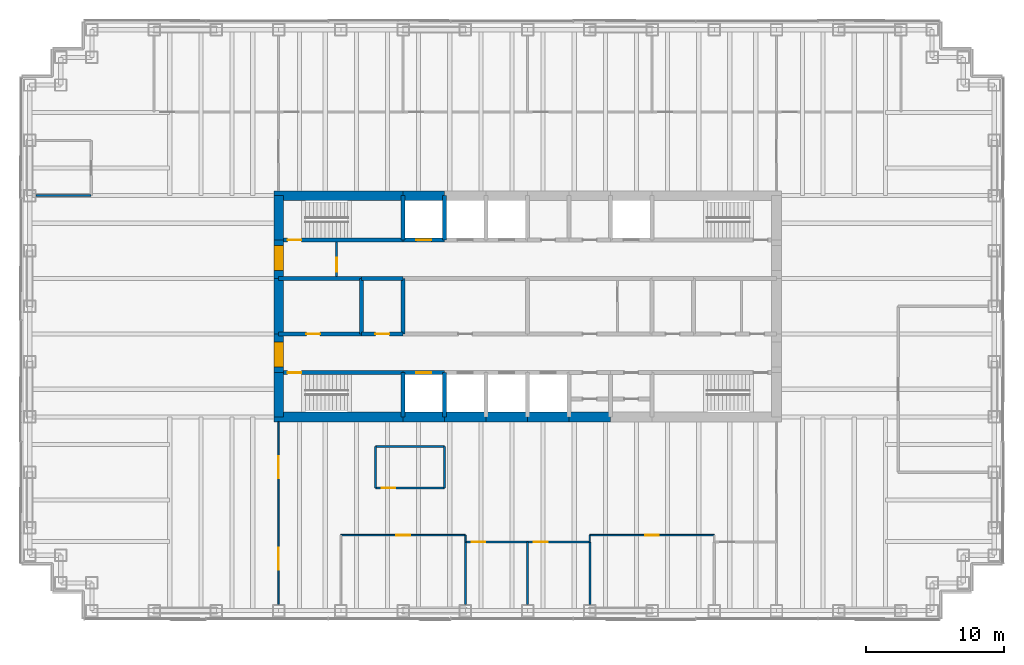
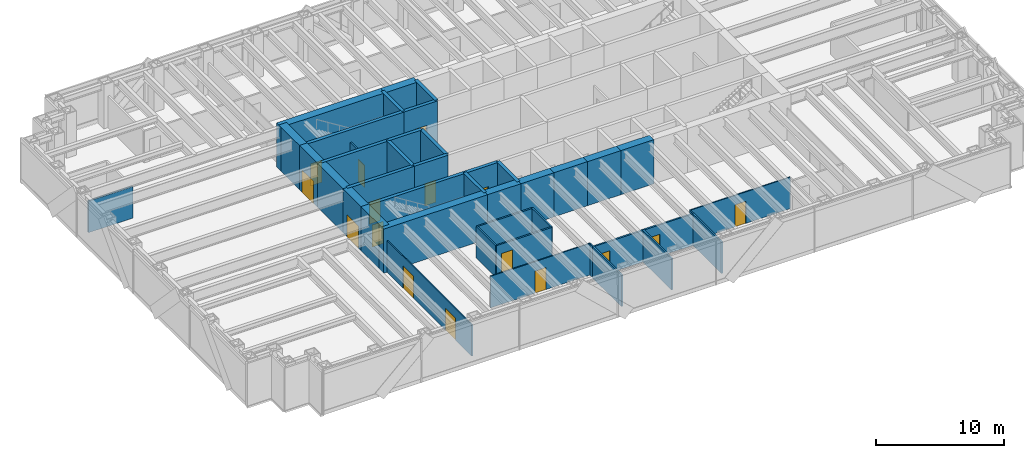
# One storey, part 11 of 15: 42 walls, 16 doors, 16 openings.
"""IFC4 building model written with IfcOpenShell, lengths in metres."""

from ifc_helpers import new_model, si_unit, direction, frame, frame_2d, origin, place, context, subcontext, project, spatial, rectangle, extrude, material, layer, layer_set, type_object, element, fill, save


model = new_model("IFC4")

# Units and contexts
model_context = context("Model", 3, precision=1e-05, world=origin(), true_north=direction((0.0, 1.0)))
body_context = subcontext(model_context, "Body", "Model", "MODEL_VIEW")
ifc_project = project(units=[si_unit("LENGTHUNIT", "METRE"), si_unit("AREAUNIT", "SQUARE_METRE"), si_unit("VOLUMEUNIT", "CUBIC_METRE"), si_unit("PLANEANGLEUNIT", "RADIAN"), si_unit("MASSUNIT", "GRAM", prefix="KILO")], contexts=[model_context])

# Site, building, storey
site_placement = place(None, origin())
site = spatial("IfcSite", under=ifc_project, at=site_placement, CompositionType="ELEMENT")
building_placement = place(site_placement, origin())
building = spatial("IfcBuilding", under=site, at=building_placement, Name="Rheinbord Bourse Tower", CompositionType="ELEMENT")
storey_placement = place(building_placement, frame((0.0, 0.0, 279.5)))
storey = spatial("IfcBuildingStorey", under=building, at=storey_placement, Name="L63", CompositionType="ELEMENT", Elevation=279.5)

# Wall, opening, door
ifc_material_1 = material(Name="Concrete C50/60", Category="concrete")
ifc_layer_1 = layer(ifc_material_1, 0.300048828125)
ifc_layer_set_1 = layer_set([ifc_layer_1], Name="CORE INNER WALL 300")
wall_type_1 = type_object("IfcWallType", Name="CORE INNER WALL 300", PredefinedType="SOLIDWALL", material=ifc_layer_set_1)
wall_1_placement = place(storey_placement, frame((18.0, 19.199951171875, 0.0), z_axis=(0.0, 0.0, 1.0), x_axis=(1.0, 0.0, 0.0)))
wall_1 = element("IfcWall", 1, at=wall_1_placement, inside=storey, type_object=wall_type_1, Name="Core wall A1 L63", PredefinedType="SOLIDWALL", context=body_context, shape_type="SweptSolid", body=[
    extrude(rectangle(XDim=9.0, YDim=0.300048828125, at=frame_2d((4.5, 0.0))), origin(), (0.0, 0.0, 1.0), 4.199951171875),
])
opening_1_placement = place(wall_1_placement, frame((0.64990234375, 0.0, 0.0)))
opening_1 = element("IfcOpeningElement", 2, at=opening_1_placement, cuts=wall_1, Name="Opening 6310", PredefinedType="OPENING", context=body_context, shape_type="SweptSolid", body=[
    extrude(rectangle(XDim=1.0, YDim=2.10009765625, at=frame_2d((0.5, 1.050048828125))), frame((0.0, 0.159912109375, 0.0), z_axis=(0.0, -1.0, 0.0), x_axis=(1.0, 0.0, 0.0)), (0.0, 0.0, 1.0), 0.320068359375),
])
ifc_material_2 = material(Name="Steel door", Category="steel")
door_type_1 = type_object("IfcDoorType", Name="DOOR 1000 EI30", OperationType="SINGLE_SWING_LEFT", PredefinedType="DOOR", material=ifc_material_2)
door_1_placement = place(opening_1_placement, origin())
door_1 = element("IfcDoor", 3, at=door_1_placement, inside=storey, type_object=door_type_1, Name="Stair door ST1 L63", OperationType="SINGLE_SWING_LEFT", OverallHeight=2.10009765625, OverallWidth=1.0, PredefinedType="DOOR", context=body_context, shape_type="SweptSolid", body=[
    extrude(rectangle(XDim=1.0, YDim=2.10009765625, at=frame_2d((0.5, 1.050048828125))), frame((0.0, 0.02490234375, 0.0), z_axis=(0.0, -1.0, 0.0), x_axis=(1.0, 0.0, 0.0)), (0.0, 0.0, 1.0), 0.050048828125),
])
fill(opening_1, door_1)

wall_2_placement = place(storey_placement, frame((27.0, 19.199951171875, 0.0), z_axis=(0.0, 0.0, 1.0), x_axis=(1.0, 0.0, 0.0)))
wall_2 = element("IfcWall", 4, at=wall_2_placement, inside=storey, type_object=wall_type_1, Name="Core wall A2 L63", PredefinedType="SOLIDWALL", context=body_context, shape_type="SweptSolid", body=[
    extrude(rectangle(XDim=3.0, YDim=0.300048828125, at=frame_2d((1.5, 0.0))), origin(), (0.0, 0.0, 1.0), 4.199951171875),
])
opening_2_placement = place(wall_2_placement, frame((0.949951171875, 0.0, 0.0)))
opening_2 = element("IfcOpeningElement", 5, at=opening_2_placement, cuts=wall_2, Name="Opening FL1", PredefinedType="OPENING", context=body_context, shape_type="SweptSolid", body=[
    extrude(rectangle(XDim=1.10009765625, YDim=2.199951171875, at=frame_2d((0.550048828125, 1.10009765625))), frame((0.0, 0.159912109375, 0.0), z_axis=(0.0, -1.0, 0.0), x_axis=(1.0, 0.0, 0.0)), (0.0, 0.0, 1.0), 0.320068359375),
])
ifc_material_3 = material(Name="Steel landing door", Category="steel")
door_type_2 = type_object("IfcDoorType", Name="LIFT LANDING DOOR 1100", OperationType="DOUBLE_DOOR_SLIDING", PredefinedType="USERDEFINED", material=ifc_material_3)
door_2_placement = place(opening_2_placement, origin())
door_2 = element("IfcDoor", 6, at=door_2_placement, inside=storey, type_object=door_type_2, Name="Lift landing door FL1 L63", ObjectType="LIFT LANDING DOOR", OperationType="DOUBLE_DOOR_SLIDING", OverallHeight=2.199951171875, OverallWidth=1.10009765625, PredefinedType="USERDEFINED", context=body_context, shape_type="SweptSolid", body=[
    extrude(rectangle(XDim=1.10009765625, YDim=2.199951171875, at=frame_2d((0.550048828125, 1.10009765625))), frame((0.0, 0.02490234375, 0.0), z_axis=(0.0, -1.0, 0.0), x_axis=(1.0, 0.0, 0.0)), (0.0, 0.0, 1.0), 0.050048828125),
])
fill(opening_2, door_2)

wall_3_placement = place(storey_placement, frame((18.0, 28.800048828125, 0.0), z_axis=(0.0, 0.0, 1.0), x_axis=(1.0, 0.0, 0.0)))
wall_3 = element("IfcWall", 7, at=wall_3_placement, inside=storey, type_object=wall_type_1, Name="Core wall B1 L63", PredefinedType="SOLIDWALL", context=body_context, shape_type="SweptSolid", body=[
    extrude(rectangle(XDim=9.0, YDim=0.300048828125, at=frame_2d((4.5, 0.0))), origin(), (0.0, 0.0, 1.0), 4.199951171875),
])
opening_3_placement = place(wall_3_placement, frame((0.64990234375, 0.0, 0.0)))
opening_3 = element("IfcOpeningElement", 8, at=opening_3_placement, cuts=wall_3, Name="Opening 6320", PredefinedType="OPENING", context=body_context, shape_type="SweptSolid", body=[
    extrude(rectangle(XDim=1.0, YDim=2.10009765625, at=frame_2d((0.5, 1.050048828125))), frame((0.0, 0.159912109375, 0.0), z_axis=(0.0, -1.0, 0.0), x_axis=(1.0, 0.0, 0.0)), (0.0, 0.0, 1.0), 0.320068359375),
])
door_3_placement = place(opening_3_placement, origin())
door_3 = element("IfcDoor", 9, at=door_3_placement, inside=storey, type_object=door_type_1, Name="Stair door ST2 L63", OperationType="SINGLE_SWING_LEFT", OverallHeight=2.10009765625, OverallWidth=1.0, PredefinedType="DOOR", context=body_context, shape_type="SweptSolid", body=[
    extrude(rectangle(XDim=1.0, YDim=2.10009765625, at=frame_2d((0.5, 1.050048828125))), frame((0.0, 0.02490234375, 0.0), z_axis=(0.0, -1.0, 0.0), x_axis=(1.0, 0.0, 0.0)), (0.0, 0.0, 1.0), 0.050048828125),
])
fill(opening_3, door_3)

wall_4_placement = place(storey_placement, frame((27.0, 28.800048828125, 0.0), z_axis=(0.0, 0.0, 1.0), x_axis=(1.0, 0.0, 0.0)))
wall_4 = element("IfcWall", 10, at=wall_4_placement, inside=storey, type_object=wall_type_1, Name="Core wall B2 L63", PredefinedType="SOLIDWALL", context=body_context, shape_type="SweptSolid", body=[
    extrude(rectangle(XDim=3.0, YDim=0.300048828125, at=frame_2d((1.5, 0.0))), origin(), (0.0, 0.0, 1.0), 4.199951171875),
])
opening_4_placement = place(wall_4_placement, frame((0.949951171875, 0.0, 0.0)))
opening_4 = element("IfcOpeningElement", 11, at=opening_4_placement, cuts=wall_4, Name="Opening GL1", PredefinedType="OPENING", context=body_context, shape_type="SweptSolid", body=[
    extrude(rectangle(XDim=1.10009765625, YDim=2.199951171875, at=frame_2d((0.550048828125, 1.10009765625))), frame((0.0, 0.159912109375, 0.0), z_axis=(0.0, -1.0, 0.0), x_axis=(1.0, 0.0, 0.0)), (0.0, 0.0, 1.0), 0.320068359375),
])
door_4_placement = place(opening_4_placement, origin())
door_4 = element("IfcDoor", 12, at=door_4_placement, inside=storey, type_object=door_type_2, Name="Lift landing door GL1 L63", ObjectType="LIFT LANDING DOOR", OperationType="DOUBLE_DOOR_SLIDING", OverallHeight=2.199951171875, OverallWidth=1.10009765625, PredefinedType="USERDEFINED", context=body_context, shape_type="SweptSolid", body=[
    extrude(rectangle(XDim=1.10009765625, YDim=2.199951171875, at=frame_2d((0.550048828125, 1.10009765625))), frame((0.0, 0.02490234375, 0.0), z_axis=(0.0, -1.0, 0.0), x_axis=(1.0, 0.0, 0.0)), (0.0, 0.0, 1.0), 0.050048828125),
])
fill(opening_4, door_4)

wall_5_placement = place(storey_placement, frame((18.0, 22.0, 0.0), z_axis=(0.0, 0.0, 1.0), x_axis=(1.0, 0.0, 0.0)))
wall_5 = element("IfcWall", 13, at=wall_5_placement, inside=storey, type_object=wall_type_1, Name="Core wall C1 L63", PredefinedType="SOLIDWALL", context=body_context, shape_type="SweptSolid", body=[
    extrude(rectangle(XDim=6.0, YDim=0.300048828125, at=frame_2d((3.0, 0.0))), origin(), (0.0, 0.0, 1.0), 4.199951171875),
])
opening_5_placement = place(wall_5_placement, frame((2.0, 0.0, 0.0)))
opening_5 = element("IfcOpeningElement", 14, at=opening_5_placement, cuts=wall_5, Name="Opening 63R1", PredefinedType="OPENING", context=body_context, shape_type="SweptSolid", body=[
    extrude(rectangle(XDim=1.0, YDim=2.10009765625, at=frame_2d((0.5, 1.050048828125))), frame((0.0, 0.159912109375, 0.0), z_axis=(0.0, -1.0, 0.0), x_axis=(1.0, 0.0, 0.0)), (0.0, 0.0, 1.0), 0.320068359375),
])
ifc_material_4 = material(Name="Timber door", Category="wood")
door_type_3 = type_object("IfcDoorType", Name="DOOR 1000 WC", OperationType="SINGLE_SWING_LEFT", PredefinedType="DOOR", material=ifc_material_4)
door_5_placement = place(opening_5_placement, origin())
door_5 = element("IfcDoor", 15, at=door_5_placement, inside=storey, type_object=door_type_3, Name="WC men door L63", OperationType="SINGLE_SWING_LEFT", OverallHeight=2.10009765625, OverallWidth=1.0, PredefinedType="DOOR", context=body_context, shape_type="SweptSolid", body=[
    extrude(rectangle(XDim=1.0, YDim=2.10009765625, at=frame_2d((0.5, 1.050048828125))), frame((0.0, 0.02490234375, 0.0), z_axis=(0.0, -1.0, 0.0), x_axis=(1.0, 0.0, 0.0)), (0.0, 0.0, 1.0), 0.050048828125),
])
fill(opening_5, door_5)

wall_6_placement = place(storey_placement, frame((24.0, 22.0, 0.0), z_axis=(0.0, 0.0, 1.0), x_axis=(1.0, 0.0, 0.0)))
wall_6 = element("IfcWall", 16, at=wall_6_placement, inside=storey, type_object=wall_type_1, Name="Core wall C2 L63", PredefinedType="SOLIDWALL", context=body_context, shape_type="SweptSolid", body=[
    extrude(rectangle(XDim=3.0, YDim=0.300048828125, at=frame_2d((1.5, 0.0))), origin(), (0.0, 0.0, 1.0), 4.199951171875),
])
opening_6_placement = place(wall_6_placement, frame((1.0, 0.0, 0.0)))
opening_6 = element("IfcOpeningElement", 17, at=opening_6_placement, cuts=wall_6, Name="Opening 63R2", PredefinedType="OPENING", context=body_context, shape_type="SweptSolid", body=[
    extrude(rectangle(XDim=1.0, YDim=2.10009765625, at=frame_2d((0.5, 1.050048828125))), frame((0.0, 0.159912109375, 0.0), z_axis=(0.0, -1.0, 0.0), x_axis=(1.0, 0.0, 0.0)), (0.0, 0.0, 1.0), 0.320068359375),
])
door_6_placement = place(opening_6_placement, origin())
door_6 = element("IfcDoor", 18, at=door_6_placement, inside=storey, type_object=door_type_1, Name="First aid room door L63", OperationType="SINGLE_SWING_LEFT", OverallHeight=2.10009765625, OverallWidth=1.0, PredefinedType="DOOR", context=body_context, shape_type="SweptSolid", body=[
    extrude(rectangle(XDim=1.0, YDim=2.10009765625, at=frame_2d((0.5, 1.050048828125))), frame((0.0, 0.02490234375, 0.0), z_axis=(0.0, -1.0, 0.0), x_axis=(1.0, 0.0, 0.0)), (0.0, 0.0, 1.0), 0.050048828125),
])
fill(opening_6, door_6)

# Walls
wall_7_placement = place(storey_placement, frame((18.0, 26.0, 0.0), z_axis=(0.0, 0.0, 1.0), x_axis=(1.0, 0.0, 0.0)))
element("IfcWall", 19, at=wall_7_placement, inside=storey, type_object=wall_type_1, Name="Core wall D1 L63", PredefinedType="SOLIDWALL", context=body_context, shape_type="SweptSolid", body=[
    extrude(rectangle(XDim=6.0, YDim=0.300048828125, at=frame_2d((3.0, 0.0))), origin(), (0.0, 0.0, 1.0), 4.199951171875),
])
wall_8_placement = place(storey_placement, frame((24.0, 26.0, 0.0), z_axis=(0.0, 0.0, 1.0), x_axis=(1.0, 0.0, 0.0)))
element("IfcWall", 20, at=wall_8_placement, inside=storey, type_object=wall_type_1, Name="Core wall D2 L63", PredefinedType="SOLIDWALL", context=body_context, shape_type="SweptSolid", body=[
    extrude(rectangle(XDim=3.0, YDim=0.300048828125, at=frame_2d((1.5, 0.0))), origin(), (0.0, 0.0, 1.0), 4.199951171875),
])
for number, where, z_axis, x_axis, name in (
    (21, (27.0, 16.0, 0.0), (0.0, 0.0, 1.0), (0.0, 1.0, 0.0), "Core wall SX27 L63"),
    (22, (27.0, 28.800048828125, 0.0), (0.0, 0.0, 1.0), (0.0, 1.0, 0.0), "Core wall NX27 L63"),
    (23, (30.0, 16.0, 0.0), (0.0, 0.0, 1.0), (0.0, 1.0, 0.0), "Core wall SX30 L63"),
    (24, (30.0, 28.800048828125, 0.0), (0.0, 0.0, 1.0), (0.0, 1.0, 0.0), "Core wall NX30 L63"),
):
    element("IfcWall", number, at=place(storey_placement, frame(where, z_axis=z_axis, x_axis=x_axis)), inside=storey, type_object=wall_type_1, Name=name, PredefinedType="SOLIDWALL", context=body_context, shape_type="SweptSolid", body=[
        extrude(rectangle(XDim=3.199951171875, YDim=0.300048828125, at=frame_2d((1.60009765625, 0.0))), origin(), (0.0, 0.0, 1.0), 4.199951171875),
    ])
for number, where, z_axis, x_axis, name in (
    (25, (24.0, 22.0, 0.0), (0.0, 0.0, 1.0), (0.0, 1.0, 0.0), "Core wall MX24 L63"),
    (26, (27.0, 22.0, 0.0), (0.0, 0.0, 1.0), (0.0, 1.0, 0.0), "Core wall MX27 L63"),
):
    element("IfcWall", number, at=place(storey_placement, frame(where, z_axis=z_axis, x_axis=x_axis)), inside=storey, type_object=wall_type_1, Name=name, PredefinedType="SOLIDWALL", context=body_context, shape_type="SweptSolid", body=[
        extrude(rectangle(XDim=4.0, YDim=0.300048828125, at=frame_2d((2.0, 0.0))), origin(), (0.0, 0.0, 1.0), 4.199951171875),
    ])

# Wall, opening, door
ifc_material_5 = material(Name="Gypsum board fire partition", Category="gypsum board")
ifc_layer_2 = layer(ifc_material_5, 0.14990234375)
ifc_layer_set_2 = layer_set([ifc_layer_2], Name="CORE PARTITION 150 EI30")
wall_type_2 = type_object("IfcWallType", Name="CORE PARTITION 150 EI30", PredefinedType="PARTITIONING", material=ifc_layer_set_2)
wall_9_placement = place(storey_placement, frame((22.199951171875, 26.14990234375, 0.0), z_axis=(0.0, 0.0, 1.0), x_axis=(0.0, 1.0, 0.0)))
wall_9 = element("IfcWall", 27, at=wall_9_placement, inside=storey, type_object=wall_type_2, Name="Core partition L63-5", PredefinedType="PARTITIONING", context=body_context, shape_type="SweptSolid", body=[
    extrude(rectangle(XDim=2.5, YDim=0.14990234375, at=frame_2d((1.25, 0.0))), origin(), (0.0, 0.0, 1.0), 3.0),
])
opening_7_placement = place(wall_9_placement, frame((0.35009765625, 0.0, 0.0)))
opening_7 = element("IfcOpeningElement", 28, at=opening_7_placement, cuts=wall_9, Name="Opening 63L6", PredefinedType="OPENING", context=body_context, shape_type="SweptSolid", body=[
    extrude(rectangle(XDim=1.0, YDim=2.10009765625, at=frame_2d((0.5, 1.050048828125))), frame((0.0, 0.0849609375, 0.0), z_axis=(0.0, -1.0, 0.0), x_axis=(1.0, 0.0, 0.0)), (0.0, 0.0, 1.0), 0.169921875),
])
door_7_placement = place(opening_7_placement, origin())
door_7 = element("IfcDoor", 29, at=door_7_placement, inside=storey, type_object=door_type_1, Name="Stair lobby door L63", OperationType="SINGLE_SWING_LEFT", OverallHeight=2.10009765625, OverallWidth=1.0, PredefinedType="DOOR", context=body_context, shape_type="SweptSolid", body=[
    extrude(rectangle(XDim=1.0, YDim=2.10009765625, at=frame_2d((0.5, 1.050048828125))), frame((0.0, 0.02490234375, 0.0), z_axis=(0.0, -1.0, 0.0), x_axis=(1.0, 0.0, 0.0)), (0.0, 0.0, 1.0), 0.050048828125),
])
fill(opening_7, door_7)

# Walls
ifc_material_6 = material(Name="Concrete C50/60", Category="concrete")
ifc_layer_3 = layer(ifc_material_6, 0.699951171875)
ifc_layer_set_3 = layer_set([ifc_layer_3], Name="CORE WALL 700")
wall_type_3 = type_object("IfcWallType", Name="CORE WALL 700", PredefinedType="SHEAR", material=ifc_layer_set_3)
wall_10_placement = place(storey_placement, frame((17.64990234375, 16.0, 0.0), z_axis=(0.0, 0.0, 1.0), x_axis=(1.0, 0.0, 0.0)))
element("IfcWall", 30, at=wall_10_placement, inside=storey, type_object=wall_type_3, Name="Core wall S1 L63", PredefinedType="SHEAR", context=body_context, shape_type="SweptSolid", body=[
    extrude(rectangle(XDim=9.35009765625, YDim=0.699951171875, at=frame_2d((4.675048828125, 0.0))), origin(), (0.0, 0.0, 1.0), 4.199951171875),
])
for number, where, z_axis, x_axis, name in (
    (31, (27.0, 16.0, 0.0), (0.0, 0.0, 1.0), (1.0, 0.0, 0.0), "Core wall S2 L63"),
    (32, (30.0, 16.0, 0.0), (0.0, 0.0, 1.0), (1.0, 0.0, 0.0), "Core wall S3 L63"),
    (33, (33.0, 16.0, 0.0), (0.0, 0.0, 1.0), (1.0, 0.0, 0.0), "Core wall S4 L63"),
    (34, (36.0, 16.0, 0.0), (0.0, 0.0, 1.0), (1.0, 0.0, 0.0), "Core wall S5 L63"),
    (35, (39.0, 16.0, 0.0), (0.0, 0.0, 1.0), (1.0, 0.0, 0.0), "Core wall S6 L63"),
    (36, (30.0, 32.0, 0.0), (0.0, 0.0, 1.0), (-1.0, 0.0, 0.0), "Core wall N7 L63"),
):
    element("IfcWall", number, at=place(storey_placement, frame(where, z_axis=z_axis, x_axis=x_axis)), inside=storey, type_object=wall_type_3, Name=name, PredefinedType="SHEAR", context=body_context, shape_type="SweptSolid", body=[
        extrude(rectangle(XDim=3.0, YDim=0.699951171875, at=frame_2d((1.5, 0.0))), origin(), (0.0, 0.0, 1.0), 4.199951171875),
    ])
wall_11_placement = place(storey_placement, frame((27.0, 32.0, 0.0), z_axis=(0.0, 0.0, 1.0), x_axis=(-1.0, 0.0, 0.0)))
element("IfcWall", 37, at=wall_11_placement, inside=storey, type_object=wall_type_3, Name="Core wall N8 L63", PredefinedType="SHEAR", context=body_context, shape_type="SweptSolid", body=[
    extrude(rectangle(XDim=9.35009765625, YDim=0.699951171875, at=frame_2d((4.675048828125, 0.0))), origin(), (0.0, 0.0, 1.0), 4.199951171875),
])
wall_12_placement = place(storey_placement, frame((18.0, 32.0, 0.0), z_axis=(0.0, 0.0, 1.0), x_axis=(0.0, -1.0, 0.0)))
element("IfcWall", 38, at=wall_12_placement, inside=storey, type_object=wall_type_3, Name="Core wall W1 L63", PredefinedType="SHEAR", context=body_context, shape_type="SweptSolid", body=[
    extrude(rectangle(XDim=3.199951171875, YDim=0.699951171875, at=frame_2d((1.60009765625, 0.0))), origin(), (0.0, 0.0, 1.0), 4.199951171875),
])

# Wall, opening, door
wall_13_placement = place(storey_placement, frame((18.0, 28.800048828125, 0.0), z_axis=(0.0, 0.0, 1.0), x_axis=(0.0, -1.0, 0.0)))
wall_13 = element("IfcWall", 39, at=wall_13_placement, inside=storey, type_object=wall_type_3, Name="Core wall W2 L63", PredefinedType="SHEAR", context=body_context, shape_type="SweptSolid", body=[
    extrude(rectangle(XDim=2.800048828125, YDim=0.699951171875, at=frame_2d((1.39990234375, 0.0))), origin(), (0.0, 0.0, 1.0), 4.199951171875),
])
opening_8_placement = place(wall_13_placement, frame((0.39990234375, 0.0, 0.0)))
opening_8 = element("IfcOpeningElement", 40, at=opening_8_placement, cuts=wall_13, Name="Opening 63L2", PredefinedType="OPENING", context=body_context, shape_type="SweptSolid", body=[
    extrude(rectangle(XDim=1.800048828125, YDim=2.10009765625, at=frame_2d((0.89990234375, 1.050048828125))), frame((0.0, 0.35986328125, 0.0), z_axis=(0.0, -1.0, 0.0), x_axis=(1.0, 0.0, 0.0)), (0.0, 0.0, 1.0), 0.719970703125),
])
ifc_material_7 = material(Name="Steel door", Category="steel")
door_type_4 = type_object("IfcDoorType", Name="DOOR 1800 EI30 DOUBLE", OperationType="DOUBLE_DOOR_DOUBLE_SWING", PredefinedType="DOOR", material=ifc_material_7)
door_8_placement = place(opening_8_placement, origin())
door_8 = element("IfcDoor", 41, at=door_8_placement, inside=storey, type_object=door_type_4, Name="Lobby door 2 L63", OperationType="SINGLE_SWING_LEFT", OverallHeight=2.10009765625, OverallWidth=1.800048828125, PredefinedType="DOOR", context=body_context, shape_type="SweptSolid", body=[
    extrude(rectangle(XDim=1.800048828125, YDim=2.10009765625, at=frame_2d((0.89990234375, 1.050048828125))), frame((0.0, 0.349609375, 0.0), z_axis=(0.0, -1.0, 0.0), x_axis=(1.0, 0.0, 0.0)), (0.0, 0.0, 1.0), 0.699462890625),
])
fill(opening_8, door_8)

# Wall
wall_14_placement = place(storey_placement, frame((18.0, 26.0, 0.0), z_axis=(0.0, 0.0, 1.0), x_axis=(0.0, -1.0, 0.0)))
element("IfcWall", 42, at=wall_14_placement, inside=storey, type_object=wall_type_3, Name="Core wall W3 L63", PredefinedType="SHEAR", context=body_context, shape_type="SweptSolid", body=[
    extrude(rectangle(XDim=4.0, YDim=0.699951171875, at=frame_2d((2.0, 0.0))), origin(), (0.0, 0.0, 1.0), 4.199951171875),
])

# Wall, opening, door
wall_15_placement = place(storey_placement, frame((18.0, 22.0, 0.0), z_axis=(0.0, 0.0, 1.0), x_axis=(0.0, -1.0, 0.0)))
wall_15 = element("IfcWall", 43, at=wall_15_placement, inside=storey, type_object=wall_type_3, Name="Core wall W4 L63", PredefinedType="SHEAR", context=body_context, shape_type="SweptSolid", body=[
    extrude(rectangle(XDim=2.800048828125, YDim=0.699951171875, at=frame_2d((1.39990234375, 0.0))), origin(), (0.0, 0.0, 1.0), 4.199951171875),
])
opening_9_placement = place(wall_15_placement, frame((0.60009765625, 0.0, 0.0)))
opening_9 = element("IfcOpeningElement", 44, at=opening_9_placement, cuts=wall_15, Name="Opening 63L1", PredefinedType="OPENING", context=body_context, shape_type="SweptSolid", body=[
    extrude(rectangle(XDim=1.800048828125, YDim=2.10009765625, at=frame_2d((0.89990234375, 1.050048828125))), frame((0.0, 0.35986328125, 0.0), z_axis=(0.0, -1.0, 0.0), x_axis=(1.0, 0.0, 0.0)), (0.0, 0.0, 1.0), 0.719970703125),
])
door_9_placement = place(opening_9_placement, origin())
door_9 = element("IfcDoor", 45, at=door_9_placement, inside=storey, type_object=door_type_4, Name="Lobby door 1 L63", OperationType="SINGLE_SWING_LEFT", OverallHeight=2.10009765625, OverallWidth=1.800048828125, PredefinedType="DOOR", context=body_context, shape_type="SweptSolid", body=[
    extrude(rectangle(XDim=1.800048828125, YDim=2.10009765625, at=frame_2d((0.89990234375, 1.050048828125))), frame((0.0, 0.349609375, 0.0), z_axis=(0.0, -1.0, 0.0), x_axis=(1.0, 0.0, 0.0)), (0.0, 0.0, 1.0), 0.699462890625),
])
fill(opening_9, door_9)

# Wall
wall_16_placement = place(storey_placement, frame((18.0, 19.199951171875, 0.0), z_axis=(0.0, 0.0, 1.0), x_axis=(0.0, -1.0, 0.0)))
element("IfcWall", 46, at=wall_16_placement, inside=storey, type_object=wall_type_3, Name="Core wall W5 L63", PredefinedType="SHEAR", context=body_context, shape_type="SweptSolid", body=[
    extrude(rectangle(XDim=3.199951171875, YDim=0.699951171875, at=frame_2d((1.60009765625, 0.0))), origin(), (0.0, 0.0, 1.0), 4.199951171875),
])

# Wall, opening, door
ifc_material_8 = material(Name="Gypsum board fire partition", Category="gypsum board")
ifc_layer_4 = layer(ifc_material_8, 0.14990234375)
ifc_layer_set_4 = layer_set([ifc_layer_4], Name="FIRE PARTITION 150 EI60")
wall_type_4 = type_object("IfcWallType", Name="FIRE PARTITION 150 EI60", PredefinedType="PARTITIONING", material=ifc_layer_set_4)
wall_17_placement = place(storey_placement, frame((25.0, 10.85009765625, 0.0), z_axis=(0.0, 0.0, 1.0), x_axis=(1.0, 0.0, 0.0)))
wall_17 = element("IfcWall", 47, at=wall_17_placement, inside=storey, type_object=wall_type_4, Name="Partition L63-05", PredefinedType="PARTITIONING", context=body_context, shape_type="SweptSolid", body=[
    extrude(rectangle(XDim=5.0, YDim=0.14990234375, at=frame_2d((2.5, 0.0))), origin(), (0.0, 0.0, 1.0), 3.0),
])
opening_10_placement = place(wall_17_placement, frame((0.449951171875, 0.0, 0.0)))
opening_10 = element("IfcOpeningElement", 48, at=opening_10_placement, cuts=wall_17, Name="Opening 63D06", PredefinedType="OPENING", context=body_context, shape_type="SweptSolid", body=[
    extrude(rectangle(XDim=1.0, YDim=2.10009765625, at=frame_2d((0.5, 1.050048828125))), frame((0.0, 0.0849609375, 0.0), z_axis=(0.0, -1.0, 0.0), x_axis=(1.0, 0.0, 0.0)), (0.0, 0.0, 1.0), 0.169921875),
])
ifc_material_9 = material(Name="Timber fire door", Category="wood")
door_type_5 = type_object("IfcDoorType", Name="FIRE DOOR 1000 EI60", OperationType="SINGLE_SWING_LEFT", PredefinedType="DOOR", material=ifc_material_9)
door_10_placement = place(opening_10_placement, origin())
door_10 = element("IfcDoor", 49, at=door_10_placement, inside=storey, type_object=door_type_5, Name="Comms room door L63", OperationType="SINGLE_SWING_LEFT", OverallHeight=2.10009765625, OverallWidth=1.0, PredefinedType="DOOR", context=body_context, shape_type="SweptSolid", body=[
    extrude(rectangle(XDim=1.0, YDim=2.10009765625, at=frame_2d((0.5, 1.050048828125))), frame((0.0, 0.02490234375, 0.0), z_axis=(0.0, -1.0, 0.0), x_axis=(1.0, 0.0, 0.0)), (0.0, 0.0, 1.0), 0.050048828125),
])
fill(opening_10, door_10)

# Walls
wall_18_placement = place(storey_placement, frame((25.0, 13.85009765625, 0.0), z_axis=(0.0, 0.0, 1.0), x_axis=(1.0, 0.0, 0.0)))
element("IfcWall", 50, at=wall_18_placement, inside=storey, type_object=wall_type_4, Name="Partition L63-07", PredefinedType="PARTITIONING", context=body_context, shape_type="SweptSolid", body=[
    extrude(rectangle(XDim=5.0, YDim=0.14990234375, at=frame_2d((2.5, 0.0))), origin(), (0.0, 0.0, 1.0), 3.0),
])
for number, where, z_axis, x_axis, name in (
    (51, (25.0, 10.85009765625, 0.0), (0.0, 0.0, 1.0), (0.0, 1.0, 0.0), "Partition L63-18"),
    (52, (30.0, 10.85009765625, 0.0), (0.0, 0.0, 1.0), (0.0, 1.0, 0.0), "Partition L63-20"),
):
    element("IfcWall", number, at=place(storey_placement, frame(where, z_axis=z_axis, x_axis=x_axis)), inside=storey, type_object=wall_type_4, Name=name, PredefinedType="PARTITIONING", context=body_context, shape_type="SweptSolid", body=[
        extrude(rectangle(XDim=3.0, YDim=0.14990234375, at=frame_2d((1.5, 0.0))), origin(), (0.0, 0.0, 1.0), 3.0),
    ])

# Wall, opening, door
ifc_material_10 = material(Name="Toughened laminated glass partition", Category="glass")
ifc_layer_5 = layer(ifc_material_10, 0.10009765625)
ifc_layer_set_5 = layer_set([ifc_layer_5], Name="GLAZED PARTITION 100")
wall_type_5 = type_object("IfcWallType", Name="GLAZED PARTITION 100", PredefinedType="PARTITIONING", material=ifc_layer_set_5)
wall_19_placement = place(storey_placement, frame((22.5, 7.449951171875, 0.0), z_axis=(0.0, 0.0, 1.0), x_axis=(1.0, 0.0, 0.0)))
wall_19 = element("IfcWall", 53, at=wall_19_placement, inside=storey, type_object=wall_type_5, Name="Partition L63-03", PredefinedType="PARTITIONING", context=body_context, shape_type="SweptSolid", body=[
    extrude(rectangle(XDim=9.0, YDim=0.10009765625, at=frame_2d((4.5, 0.0))), origin(), (0.0, 0.0, 1.0), 3.0),
])
opening_11_placement = place(wall_19_placement, frame((4.0, 0.0, 0.0)))
opening_11 = element("IfcOpeningElement", 54, at=opening_11_placement, cuts=wall_19, Name="Opening 63D04", PredefinedType="OPENING", context=body_context, shape_type="SweptSolid", body=[
    extrude(rectangle(XDim=1.0, YDim=2.10009765625, at=frame_2d((0.5, 1.050048828125))), frame((0.0, 0.06005859375, 0.0), z_axis=(0.0, -1.0, 0.0), x_axis=(1.0, 0.0, 0.0)), (0.0, 0.0, 1.0), 0.1201171875),
])
ifc_material_11 = material(Name="Timber door", Category="wood")
door_type_6 = type_object("IfcDoorType", Name="ROOM DOOR 1000", OperationType="SINGLE_SWING_LEFT", PredefinedType="DOOR", material=ifc_material_11)
door_11_placement = place(opening_11_placement, origin())
door_11 = element("IfcDoor", 55, at=door_11_placement, inside=storey, type_object=door_type_6, Name="Meeting room door L63", OperationType="SINGLE_SWING_LEFT", OverallHeight=2.10009765625, OverallWidth=1.0, PredefinedType="DOOR", context=body_context, shape_type="SweptSolid", body=[
    extrude(rectangle(XDim=1.0, YDim=2.10009765625, at=frame_2d((0.5, 1.050048828125))), frame((0.0, 0.02490234375, 0.0), z_axis=(0.0, -1.0, 0.0), x_axis=(1.0, 0.0, 0.0)), (0.0, 0.0, 1.0), 0.050048828125),
])
fill(opening_11, door_11)

wall_20_placement = place(storey_placement, frame((40.5, 7.449951171875, 0.0), z_axis=(0.0, 0.0, 1.0), x_axis=(1.0, 0.0, 0.0)))
wall_20 = element("IfcWall", 56, at=wall_20_placement, inside=storey, type_object=wall_type_5, Name="Partition L63-04", PredefinedType="PARTITIONING", context=body_context, shape_type="SweptSolid", body=[
    extrude(rectangle(XDim=9.0, YDim=0.10009765625, at=frame_2d((4.5, 0.0))), origin(), (0.0, 0.0, 1.0), 3.0),
])
opening_12_placement = place(wall_20_placement, frame((4.0, 0.0, 0.0)))
opening_12 = element("IfcOpeningElement", 57, at=opening_12_placement, cuts=wall_20, Name="Opening 63D05", PredefinedType="OPENING", context=body_context, shape_type="SweptSolid", body=[
    extrude(rectangle(XDim=1.0, YDim=2.10009765625, at=frame_2d((0.5, 1.050048828125))), frame((0.0, 0.06005859375, 0.0), z_axis=(0.0, -1.0, 0.0), x_axis=(1.0, 0.0, 0.0)), (0.0, 0.0, 1.0), 0.1201171875),
])
door_12_placement = place(opening_12_placement, origin())
door_12 = element("IfcDoor", 58, at=door_12_placement, inside=storey, type_object=door_type_6, Name="Meeting room door L63", OperationType="SINGLE_SWING_LEFT", OverallHeight=2.10009765625, OverallWidth=1.0, PredefinedType="DOOR", context=body_context, shape_type="SweptSolid", body=[
    extrude(rectangle(XDim=1.0, YDim=2.10009765625, at=frame_2d((0.5, 1.050048828125))), frame((0.0, 0.02490234375, 0.0), z_axis=(0.0, -1.0, 0.0), x_axis=(1.0, 0.0, 0.0)), (0.0, 0.0, 1.0), 0.050048828125),
])
fill(opening_12, door_12)

# Wall, openings, doors
wall_21_placement = place(storey_placement, frame((18.0, 2.449951171875, 0.0), z_axis=(0.0, 0.0, 1.0), x_axis=(0.0, 1.0, 0.0)))
wall_21 = element("IfcWall", 59, at=wall_21_placement, inside=storey, type_object=wall_type_5, Name="Partition L63-14", PredefinedType="PARTITIONING", context=body_context, shape_type="SweptSolid", body=[
    extrude(rectangle(XDim=13.199951171875, YDim=0.10009765625, at=frame_2d((6.60009765625, 0.0))), origin(), (0.0, 0.0, 1.0), 3.0),
])
opening_13_placement = place(wall_21_placement, frame((2.5, 0.0, 0.0)))
opening_13 = element("IfcOpeningElement", 60, at=opening_13_placement, cuts=wall_21, Name="Opening 63D15", PredefinedType="OPENING", context=body_context, shape_type="SweptSolid", body=[
    extrude(rectangle(XDim=1.60009765625, YDim=2.10009765625, at=frame_2d((0.800048828125, 1.050048828125))), frame((0.0, 0.06005859375, 0.0), z_axis=(0.0, -1.0, 0.0), x_axis=(1.0, 0.0, 0.0)), (0.0, 0.0, 1.0), 0.1201171875),
])
opening_14_placement = place(wall_21_placement, frame((9.10009765625, 0.0, 0.0)))
opening_14 = element("IfcOpeningElement", 61, at=opening_14_placement, cuts=wall_21, Name="Opening 63D16", PredefinedType="OPENING", context=body_context, shape_type="SweptSolid", body=[
    extrude(rectangle(XDim=1.60009765625, YDim=2.10009765625, at=frame_2d((0.800048828125, 1.050048828125))), frame((0.0, 0.06005859375, 0.0), z_axis=(0.0, -1.0, 0.0), x_axis=(1.0, 0.0, 0.0)), (0.0, 0.0, 1.0), 0.1201171875),
])
ifc_material_12 = material(Name="Timber door", Category="wood")
door_type_7 = type_object("IfcDoorType", Name="DOUBLE ROOM DOOR 1600", OperationType="DOUBLE_DOOR_DOUBLE_SWING", PredefinedType="DOOR", material=ifc_material_12)
door_13_placement = place(opening_13_placement, origin())
door_13 = element("IfcDoor", 62, at=door_13_placement, inside=storey, type_object=door_type_7, Name="Open area door L63", OperationType="SINGLE_SWING_LEFT", OverallHeight=2.10009765625, OverallWidth=1.60009765625, PredefinedType="DOOR", context=body_context, shape_type="SweptSolid", body=[
    extrude(rectangle(XDim=1.60009765625, YDim=2.10009765625, at=frame_2d((0.800048828125, 1.050048828125))), frame((0.0, 0.02490234375, 0.0), z_axis=(0.0, -1.0, 0.0), x_axis=(1.0, 0.0, 0.0)), (0.0, 0.0, 1.0), 0.050048828125),
])
fill(opening_13, door_13)
door_14_placement = place(opening_14_placement, origin())
door_14 = element("IfcDoor", 63, at=door_14_placement, inside=storey, type_object=door_type_7, Name="Open area door L63", OperationType="SINGLE_SWING_LEFT", OverallHeight=2.10009765625, OverallWidth=1.60009765625, PredefinedType="DOOR", context=body_context, shape_type="SweptSolid", body=[
    extrude(rectangle(XDim=1.60009765625, YDim=2.10009765625, at=frame_2d((0.800048828125, 1.050048828125))), frame((0.0, 0.02490234375, 0.0), z_axis=(0.0, -1.0, 0.0), x_axis=(1.0, 0.0, 0.0)), (0.0, 0.0, 1.0), 0.050048828125),
])
fill(opening_14, door_14)

# Walls
for number, where, z_axis, x_axis, name in (
    (64, (31.5, 6.949951171875, 0.0), (0.0, 0.0, 1.0), (0.0, 1.0, 0.0), "Partition L63-22"),
    (65, (40.5, 6.949951171875, 0.0), (0.0, 0.0, 1.0), (0.0, 1.0, 0.0), "Partition L63-26"),
):
    element("IfcWall", number, at=place(storey_placement, frame(where, z_axis=z_axis, x_axis=x_axis)), inside=storey, type_object=wall_type_5, Name=name, PredefinedType="PARTITIONING", context=body_context, shape_type="SweptSolid", body=[
        extrude(rectangle(XDim=0.5, YDim=0.10009765625, at=frame_2d((0.25, 0.0))), origin(), (0.0, 0.0, 1.0), 3.0),
    ])

# Wall, openings, doors
ifc_material_13 = material(Name="Gypsum board partition", Category="gypsum board")
ifc_layer_6 = layer(ifc_material_13, 0.14990234375)
ifc_layer_set_6 = layer_set([ifc_layer_6], Name="PARTITION 150")
wall_type_6 = type_object("IfcWallType", Name="PARTITION 150", PredefinedType="PARTITIONING", material=ifc_layer_set_6)
wall_22_placement = place(storey_placement, frame((31.5, 6.949951171875, 0.0), z_axis=(0.0, 0.0, 1.0), x_axis=(1.0, 0.0, 0.0)))
wall_22 = element("IfcWall", 66, at=wall_22_placement, inside=storey, type_object=wall_type_6, Name="Partition L63-01", PredefinedType="PARTITIONING", context=body_context, shape_type="SweptSolid", body=[
    extrude(rectangle(XDim=9.0, YDim=0.14990234375, at=frame_2d((4.5, 0.0))), origin(), (0.0, 0.0, 1.0), 3.0),
])
opening_15_placement = place(wall_22_placement, frame((0.449951171875, 0.0, 0.0)))
opening_15 = element("IfcOpeningElement", 67, at=opening_15_placement, cuts=wall_22, Name="Opening 63D01", PredefinedType="OPENING", context=body_context, shape_type="SweptSolid", body=[
    extrude(rectangle(XDim=1.0, YDim=2.10009765625, at=frame_2d((0.5, 1.050048828125))), frame((0.0, 0.0849609375, 0.0), z_axis=(0.0, -1.0, 0.0), x_axis=(1.0, 0.0, 0.0)), (0.0, 0.0, 1.0), 0.169921875),
])
opening_16_placement = place(wall_22_placement, frame((4.949951171875, 0.0, 0.0)))
opening_16 = element("IfcOpeningElement", 68, at=opening_16_placement, cuts=wall_22, Name="Opening 63D02", PredefinedType="OPENING", context=body_context, shape_type="SweptSolid", body=[
    extrude(rectangle(XDim=1.0, YDim=2.10009765625, at=frame_2d((0.5, 1.050048828125))), frame((0.0, 0.0849609375, 0.0), z_axis=(0.0, -1.0, 0.0), x_axis=(1.0, 0.0, 0.0)), (0.0, 0.0, 1.0), 0.169921875),
])
door_15_placement = place(opening_15_placement, origin())
door_15 = element("IfcDoor", 69, at=door_15_placement, inside=storey, type_object=door_type_6, Name="Office door L63", OperationType="SINGLE_SWING_LEFT", OverallHeight=2.10009765625, OverallWidth=1.0, PredefinedType="DOOR", context=body_context, shape_type="SweptSolid", body=[
    extrude(rectangle(XDim=1.0, YDim=2.10009765625, at=frame_2d((0.5, 1.050048828125))), frame((0.0, 0.02490234375, 0.0), z_axis=(0.0, -1.0, 0.0), x_axis=(1.0, 0.0, 0.0)), (0.0, 0.0, 1.0), 0.050048828125),
])
fill(opening_15, door_15)
door_16_placement = place(opening_16_placement, origin())
door_16 = element("IfcDoor", 70, at=door_16_placement, inside=storey, type_object=door_type_6, Name="Office door L63", OperationType="SINGLE_SWING_RIGHT", OverallHeight=2.10009765625, OverallWidth=1.0, PredefinedType="DOOR", context=body_context, shape_type="SweptSolid", body=[
    extrude(rectangle(XDim=1.0, YDim=2.10009765625, at=frame_2d((0.5, 1.050048828125))), frame((0.0, 0.02490234375, 0.0), z_axis=(0.0, -1.0, 0.0), x_axis=(1.0, 0.0, 0.0)), (0.0, 0.0, 1.0), 0.050048828125),
])
fill(opening_16, door_16)

# Walls
wall_23_placement = place(storey_placement, frame((0.449951171875, 32.0, 0.0), z_axis=(0.0, 0.0, 1.0), x_axis=(1.0, 0.0, 0.0)))
element("IfcWall", 71, at=wall_23_placement, inside=storey, type_object=wall_type_6, Name="Partition L63-09", PredefinedType="PARTITIONING", context=body_context, shape_type="SweptSolid", body=[
    extrude(rectangle(XDim=4.0, YDim=0.14990234375, at=frame_2d((2.0, 0.0))), origin(), (0.0, 0.0, 1.0), 3.0),
])
for number, where, z_axis, x_axis, name in (
    (72, (31.5, 2.449951171875, 0.0), (0.0, 0.0, 1.0), (0.0, 1.0, 0.0), "Partition L63-21"),
    (73, (36.0, 2.449951171875, 0.0), (0.0, 0.0, 1.0), (0.0, 1.0, 0.0), "Partition L63-23"),
    (74, (40.5, 2.449951171875, 0.0), (0.0, 0.0, 1.0), (0.0, 1.0, 0.0), "Partition L63-25"),
):
    element("IfcWall", number, at=place(storey_placement, frame(where, z_axis=z_axis, x_axis=x_axis)), inside=storey, type_object=wall_type_6, Name=name, PredefinedType="PARTITIONING", context=body_context, shape_type="SweptSolid", body=[
        extrude(rectangle(XDim=4.5, YDim=0.14990234375, at=frame_2d((2.25, 0.0))), origin(), (0.0, 0.0, 1.0), 3.0),
    ])

save(model, "model.ifc")
